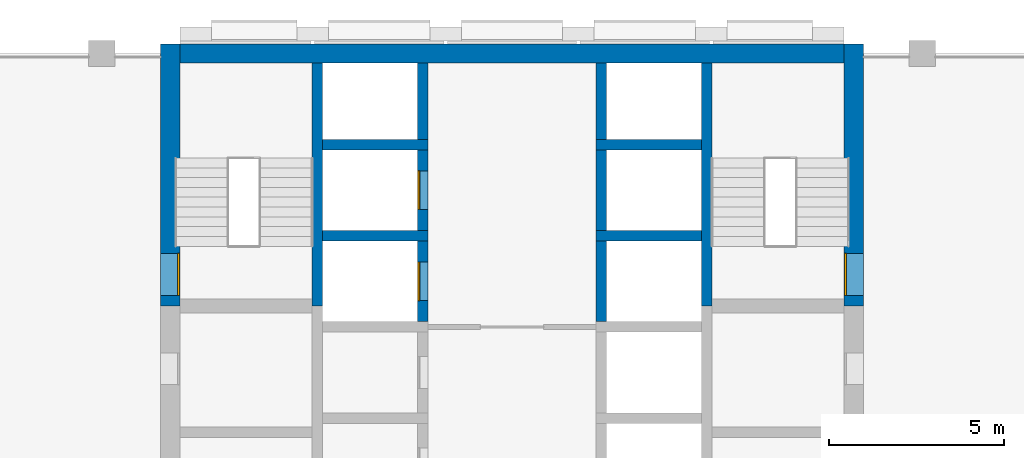
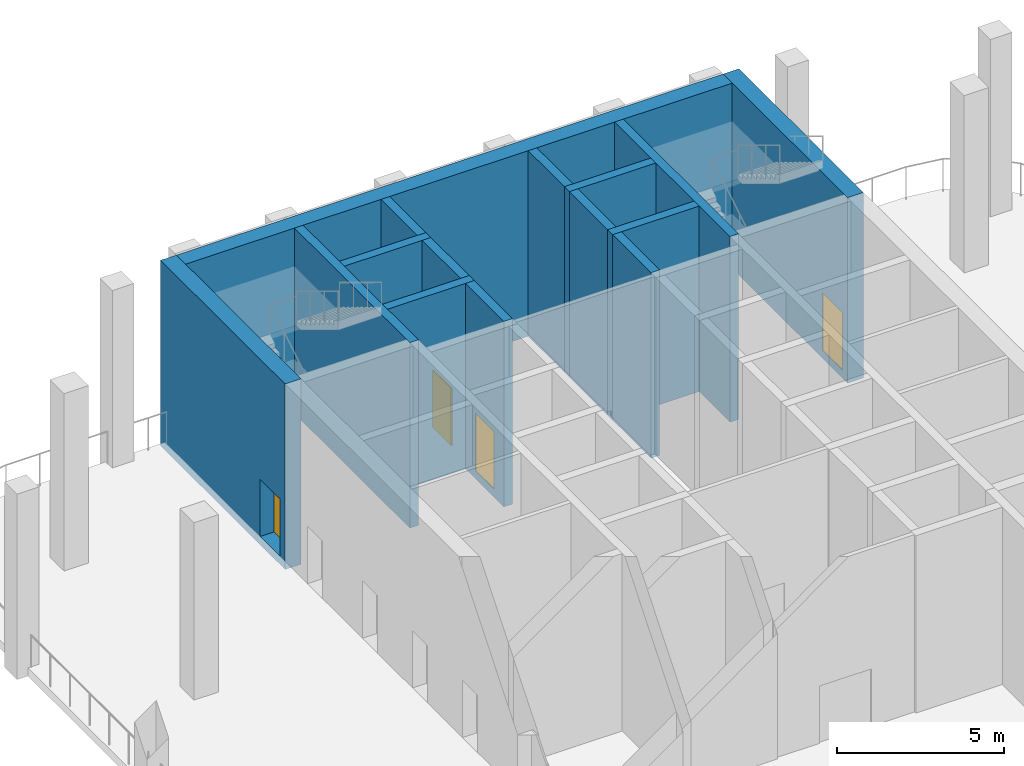
# One storey, part 3 of 10: 15 walls, 4 doors, 4 openings.
"""IFC4 building model written with IfcOpenShell, lengths in metres."""

from ifc_helpers import new_model, si_unit, direction, frame, frame_2d, origin, place, context, subcontext, project, spatial, rectangle, extrude, material, layer, layer_set, type_object, element, fill, save


model = new_model("IFC4")

# Units and contexts
model_context = context("Model", 3, precision=1e-05, world=origin(), true_north=direction((0.0, 1.0)))
body_context = subcontext(model_context, "Body", "Model", "MODEL_VIEW")
ifc_project = project(units=[si_unit("LENGTHUNIT", "METRE"), si_unit("AREAUNIT", "SQUARE_METRE"), si_unit("VOLUMEUNIT", "CUBIC_METRE"), si_unit("PLANEANGLEUNIT", "RADIAN"), si_unit("MASSUNIT", "GRAM", prefix="KILO")], contexts=[model_context])

# Site, building, storey
site_placement = place(None, origin())
site = spatial("IfcSite", under=ifc_project, at=site_placement, CompositionType="ELEMENT")
building_placement = place(site_placement, origin())
building = spatial("IfcBuilding", under=site, at=building_placement, Name="Ludao Terraces", CompositionType="ELEMENT")
storey_placement = place(building_placement, frame((0.0, 0.0, 172.39990234375)))
storey = spatial("IfcBuildingStorey", under=building, at=storey_placement, Name="L47", CompositionType="ELEMENT", Elevation=172.39990234375)

# Wall, opening, door
ifc_material_1 = material(Name="Concrete C60", Category="concrete")
ifc_layer_1 = layer(ifc_material_1, 0.550048828125)
ifc_layer_set_1 = layer_set([ifc_layer_1], Name="Core wall 550 C60")
wall_type_1 = type_object("IfcWallType", Name="Core wall 550 C60", PredefinedType="SOLIDWALL", material=ifc_layer_set_1)
wall_1_placement = place(storey_placement, frame((75.25, 77.300048828125, -0.2998046875), z_axis=(0.0, 0.0, 1.0), x_axis=(0.0, 1.0, 0.0)))
wall_1 = element("IfcWall", 1, at=wall_1_placement, inside=storey, type_object=wall_type_1, Name="Core wall L47 outer-W-S1", PredefinedType="SOLIDWALL", context=body_context, shape_type="SweptSolid", body=[
    extrude(rectangle(XDim=7.474853515625, YDim=0.550048828125, at=frame_2d((3.7373046875, 0.0))), origin(), (0.0, 0.0, 1.0), 6.7998046875),
])
opening_1_placement = place(wall_1_placement, frame((0.300048828125, 0.0, 0.300048828125)))
opening_1 = element("IfcOpeningElement", 2, at=opening_1_placement, cuts=wall_1, Name="Opening L47-028", PredefinedType="OPENING", context=body_context, shape_type="SweptSolid", body=[
    extrude(rectangle(XDim=1.199951171875, YDim=2.10009765625, at=frame_2d((0.60009765625, 1.050048828125))), frame((0.0, 0.28515625, 0.0), z_axis=(0.0, -1.0, 0.0), x_axis=(1.0, 0.0, 0.0)), (0.0, 0.0, 1.0), 0.570068359375),
])
ifc_material_2 = material(Name="Steel Q235", Category="steel")
door_type_1 = type_object("IfcDoorType", Name="INT Stair door 1200", OperationType="DOUBLE_DOOR_SINGLE_SWING", PredefinedType="DOOR", material=ifc_material_2)
door_1_placement = place(opening_1_placement, origin())
door_1 = element("IfcDoor", 3, at=door_1_placement, inside=storey, type_object=door_type_1, Name="DOOR 028", OperationType="DOUBLE_DOOR_SINGLE_SWING", OverallHeight=2.10009765625, OverallWidth=1.199951171875, PredefinedType="DOOR", context=body_context, shape_type="SweptSolid", body=[
    extrude(rectangle(XDim=1.199951171875, YDim=2.10009765625, at=frame_2d((0.60009765625, 1.050048828125))), frame((0.0, -0.2099609375, 0.0), z_axis=(0.0, -1.0, 0.0), x_axis=(1.0, 0.0, 0.0)), (0.0, 0.0, 1.0), 0.050048828125),
])
fill(opening_1, door_1)

wall_2_placement = place(storey_placement, frame((94.75, 77.300048828125, -0.2998046875), z_axis=(0.0, 0.0, 1.0), x_axis=(0.0, 1.0, 0.0)))
wall_2 = element("IfcWall", 4, at=wall_2_placement, inside=storey, type_object=wall_type_1, Name="Core wall L47 outer-E-S2", PredefinedType="SOLIDWALL", context=body_context, shape_type="SweptSolid", body=[
    extrude(rectangle(XDim=7.474853515625, YDim=0.550048828125, at=frame_2d((3.7373046875, 0.0))), origin(), (0.0, 0.0, 1.0), 6.7998046875),
])
opening_2_placement = place(wall_2_placement, frame((0.300048828125, 0.0, 0.300048828125)))
opening_2 = element("IfcOpeningElement", 5, at=opening_2_placement, cuts=wall_2, Name="Opening L47-029", PredefinedType="OPENING", context=body_context, shape_type="SweptSolid", body=[
    extrude(rectangle(XDim=1.199951171875, YDim=2.10009765625, at=frame_2d((0.60009765625, 1.050048828125))), frame((0.0, 0.28515625, 0.0), z_axis=(0.0, -1.0, 0.0), x_axis=(1.0, 0.0, 0.0)), (0.0, 0.0, 1.0), 0.570068359375),
])
door_2_placement = place(opening_2_placement, origin())
door_2 = element("IfcDoor", 6, at=door_2_placement, inside=storey, type_object=door_type_1, Name="DOOR 029", OperationType="DOUBLE_DOOR_SINGLE_SWING", OverallHeight=2.10009765625, OverallWidth=1.199951171875, PredefinedType="DOOR", context=body_context, shape_type="SweptSolid", body=[
    extrude(rectangle(XDim=1.199951171875, YDim=2.10009765625, at=frame_2d((0.60009765625, 1.050048828125))), frame((0.0, 0.26025390625, 0.0), z_axis=(0.0, -1.0, 0.0), x_axis=(1.0, 0.0, 0.0)), (0.0, 0.0, 1.0), 0.050048828125),
])
fill(opening_2, door_2)

# Walls
wall_3_placement = place(storey_placement, frame((75.52490234375, 84.5, -0.2998046875), z_axis=(0.0, 0.0, 1.0), x_axis=(1.0, 0.0, 0.0)))
element("IfcWall", 7, at=wall_3_placement, inside=storey, type_object=wall_type_1, Name="Core wall L47 outer-N", PredefinedType="SOLIDWALL", context=body_context, shape_type="SweptSolid", body=[
    extrude(rectangle(XDim=18.9501953125, YDim=0.550048828125, at=frame_2d((9.47509765625, 0.0))), origin(), (0.0, 0.0, 1.0), 6.7998046875),
])
ifc_material_3 = material(Name="Concrete C55", Category="concrete")
ifc_layer_2 = layer(ifc_material_3, 0.300048828125)
ifc_layer_set_2 = layer_set([ifc_layer_2], Name="Shaft wall 300 C55")
wall_type_2 = type_object("IfcWallType", Name="Shaft wall 300 C55", PredefinedType="SOLIDWALL", material=ifc_layer_set_2)
for number, where, z_axis, x_axis, name in (
    (8, (79.449951171875, 77.300048828125, -0.2998046875), (0.0, 0.0, 1.0), (0.0, 1.0, 0.0), "Core wall L47 back-W-S1"),
    (9, (90.550048828125, 77.300048828125, -0.2998046875), (0.0, 0.0, 1.0), (0.0, 1.0, 0.0), "Core wall L47 back-E-S2"),
):
    element("IfcWall", number, at=place(storey_placement, frame(where, z_axis=z_axis, x_axis=x_axis)), inside=storey, type_object=wall_type_2, Name=name, PredefinedType="SOLIDWALL", context=body_context, shape_type="SweptSolid", body=[
        extrude(rectangle(XDim=6.925048828125, YDim=0.300048828125, at=frame_2d((3.46240234375, 0.0))), origin(), (0.0, 0.0, 1.0), 6.7998046875),
    ])

# Wall, opening, door
wall_4_placement = place(storey_placement, frame((82.449951171875, 76.85009765625, -0.2998046875), z_axis=(0.0, 0.0, 1.0), x_axis=(0.0, 1.0, 0.0)))
wall_4 = element("IfcWall", 10, at=wall_4_placement, inside=storey, type_object=wall_type_2, Name="Core wall L47 front-W7", PredefinedType="SOLIDWALL", context=body_context, shape_type="SweptSolid", body=[
    extrude(rectangle(XDim=2.2998046875, YDim=0.300048828125, at=frame_2d((1.14990234375, 0.0))), origin(), (0.0, 0.0, 1.0), 6.7998046875),
])
opening_3_placement = place(wall_4_placement, frame((0.60009765625, 0.0, 0.300048828125)))
opening_3 = element("IfcOpeningElement", 11, at=opening_3_placement, cuts=wall_4, Name="Opening LD-FF1", PredefinedType="OPENING", context=body_context, shape_type="SweptSolid", body=[
    extrude(rectangle(XDim=1.10009765625, YDim=2.10009765625, at=frame_2d((0.550048828125, 1.050048828125))), frame((0.0, 0.16015625, 0.0), z_axis=(0.0, -1.0, 0.0), x_axis=(1.0, 0.0, 0.0)), (0.0, 0.0, 1.0), 0.320068359375),
])
ifc_material_4 = material(Name="Stainless steel 304", Category="steel")
door_type_2 = type_object("IfcDoorType", Name="INT Lift landing door 1100", OperationType="SLIDING_TO_LEFT", PredefinedType="DOOR", material=ifc_material_4)
door_3_placement = place(opening_3_placement, origin())
door_3 = element("IfcDoor", 12, at=door_3_placement, inside=storey, type_object=door_type_2, Name="LANDING DOOR FF1 L47", OperationType="SLIDING_TO_LEFT", OverallHeight=2.10009765625, OverallWidth=1.10009765625, PredefinedType="DOOR", context=body_context, shape_type="SweptSolid", body=[
    extrude(rectangle(XDim=1.10009765625, YDim=2.10009765625, at=frame_2d((0.550048828125, 1.050048828125))), frame((0.0, 0.13525390625, 0.0), z_axis=(0.0, -1.0, 0.0), x_axis=(1.0, 0.0, 0.0)), (0.0, 0.0, 1.0), 0.050048828125),
])
fill(opening_3, door_3)

# Wall
wall_5_placement = place(storey_placement, frame((79.60009765625, 79.300048828125, -0.2998046875), z_axis=(0.0, 0.0, 1.0), x_axis=(1.0, 0.0, 0.0)))
element("IfcWall", 13, at=wall_5_placement, inside=storey, type_object=wall_type_2, Name="Core wall L47 div-W8", PredefinedType="SOLIDWALL", context=body_context, shape_type="SweptSolid", body=[
    extrude(rectangle(XDim=3.0, YDim=0.300048828125, at=frame_2d((1.5, 0.0))), origin(), (0.0, 0.0, 1.0), 6.7998046875),
])

# Wall, opening, door
wall_6_placement = place(storey_placement, frame((82.449951171875, 79.449951171875, -0.2998046875), z_axis=(0.0, 0.0, 1.0), x_axis=(0.0, 1.0, 0.0)))
wall_6 = element("IfcWall", 14, at=wall_6_placement, inside=storey, type_object=wall_type_2, Name="Core wall L47 front-W8", PredefinedType="SOLIDWALL", context=body_context, shape_type="SweptSolid", body=[
    extrude(rectangle(XDim=2.300048828125, YDim=0.300048828125, at=frame_2d((1.14990234375, 0.0))), origin(), (0.0, 0.0, 1.0), 6.7998046875),
])
opening_4_placement = place(wall_6_placement, frame((0.60009765625, 0.0, 0.300048828125)))
opening_4 = element("IfcOpeningElement", 15, at=opening_4_placement, cuts=wall_6, Name="Opening LD-FF2", PredefinedType="OPENING", context=body_context, shape_type="SweptSolid", body=[
    extrude(rectangle(XDim=1.10009765625, YDim=2.10009765625, at=frame_2d((0.550048828125, 1.050048828125))), frame((0.0, 0.16015625, 0.0), z_axis=(0.0, -1.0, 0.0), x_axis=(1.0, 0.0, 0.0)), (0.0, 0.0, 1.0), 0.320068359375),
])
door_4_placement = place(opening_4_placement, origin())
door_4 = element("IfcDoor", 16, at=door_4_placement, inside=storey, type_object=door_type_2, Name="LANDING DOOR FF2 L47", OperationType="SLIDING_TO_LEFT", OverallHeight=2.10009765625, OverallWidth=1.10009765625, PredefinedType="DOOR", context=body_context, shape_type="SweptSolid", body=[
    extrude(rectangle(XDim=1.10009765625, YDim=2.10009765625, at=frame_2d((0.550048828125, 1.050048828125))), frame((0.0, 0.13525390625, 0.0), z_axis=(0.0, -1.0, 0.0), x_axis=(1.0, 0.0, 0.0)), (0.0, 0.0, 1.0), 0.050048828125),
])
fill(opening_4, door_4)

# Walls
wall_7_placement = place(storey_placement, frame((79.60009765625, 81.89990234375, -0.2998046875), z_axis=(0.0, 0.0, 1.0), x_axis=(1.0, 0.0, 0.0)))
element("IfcWall", 17, at=wall_7_placement, inside=storey, type_object=wall_type_2, Name="Core wall L47 div-W9", PredefinedType="SOLIDWALL", context=body_context, shape_type="SweptSolid", body=[
    extrude(rectangle(XDim=3.0, YDim=0.300048828125, at=frame_2d((1.5, 0.0))), origin(), (0.0, 0.0, 1.0), 6.7998046875),
])
wall_8_placement = place(storey_placement, frame((82.449951171875, 82.050048828125, -0.2998046875), z_axis=(0.0, 0.0, 1.0), x_axis=(0.0, 1.0, 0.0)))
element("IfcWall", 18, at=wall_8_placement, inside=storey, type_object=wall_type_2, Name="Core wall L47 front-W9", PredefinedType="SOLIDWALL", context=body_context, shape_type="SweptSolid", body=[
    extrude(rectangle(XDim=2.175048828125, YDim=0.300048828125, at=frame_2d((1.08740234375, 0.0))), origin(), (0.0, 0.0, 1.0), 6.7998046875),
])
wall_9_placement = place(storey_placement, frame((87.550048828125, 76.85009765625, -0.2998046875), z_axis=(0.0, 0.0, 1.0), x_axis=(0.0, 1.0, 0.0)))
element("IfcWall", 19, at=wall_9_placement, inside=storey, type_object=wall_type_2, Name="Core wall L47 front-E7", PredefinedType="SOLIDWALL", context=body_context, shape_type="SweptSolid", body=[
    extrude(rectangle(XDim=2.2998046875, YDim=0.300048828125, at=frame_2d((1.14990234375, 0.0))), origin(), (0.0, 0.0, 1.0), 6.7998046875),
])
wall_10_placement = place(storey_placement, frame((87.39990234375, 79.300048828125, -0.2998046875), z_axis=(0.0, 0.0, 1.0), x_axis=(1.0, 0.0, 0.0)))
element("IfcWall", 20, at=wall_10_placement, inside=storey, type_object=wall_type_2, Name="Core wall L47 div-E8", PredefinedType="SOLIDWALL", context=body_context, shape_type="SweptSolid", body=[
    extrude(rectangle(XDim=3.0, YDim=0.300048828125, at=frame_2d((1.5, 0.0))), origin(), (0.0, 0.0, 1.0), 6.7998046875),
])
wall_11_placement = place(storey_placement, frame((87.550048828125, 79.449951171875, -0.2998046875), z_axis=(0.0, 0.0, 1.0), x_axis=(0.0, 1.0, 0.0)))
element("IfcWall", 21, at=wall_11_placement, inside=storey, type_object=wall_type_2, Name="Core wall L47 front-E8", PredefinedType="SOLIDWALL", context=body_context, shape_type="SweptSolid", body=[
    extrude(rectangle(XDim=2.300048828125, YDim=0.300048828125, at=frame_2d((1.14990234375, 0.0))), origin(), (0.0, 0.0, 1.0), 6.7998046875),
])
wall_12_placement = place(storey_placement, frame((87.39990234375, 81.89990234375, -0.2998046875), z_axis=(0.0, 0.0, 1.0), x_axis=(1.0, 0.0, 0.0)))
element("IfcWall", 22, at=wall_12_placement, inside=storey, type_object=wall_type_2, Name="Core wall L47 div-E9", PredefinedType="SOLIDWALL", context=body_context, shape_type="SweptSolid", body=[
    extrude(rectangle(XDim=3.0, YDim=0.300048828125, at=frame_2d((1.5, 0.0))), origin(), (0.0, 0.0, 1.0), 6.7998046875),
])
wall_13_placement = place(storey_placement, frame((87.550048828125, 82.050048828125, -0.2998046875), z_axis=(0.0, 0.0, 1.0), x_axis=(0.0, 1.0, 0.0)))
element("IfcWall", 23, at=wall_13_placement, inside=storey, type_object=wall_type_2, Name="Core wall L47 front-E9", PredefinedType="SOLIDWALL", context=body_context, shape_type="SweptSolid", body=[
    extrude(rectangle(XDim=2.175048828125, YDim=0.300048828125, at=frame_2d((1.08740234375, 0.0))), origin(), (0.0, 0.0, 1.0), 6.7998046875),
])

save(model, "model.ifc")
